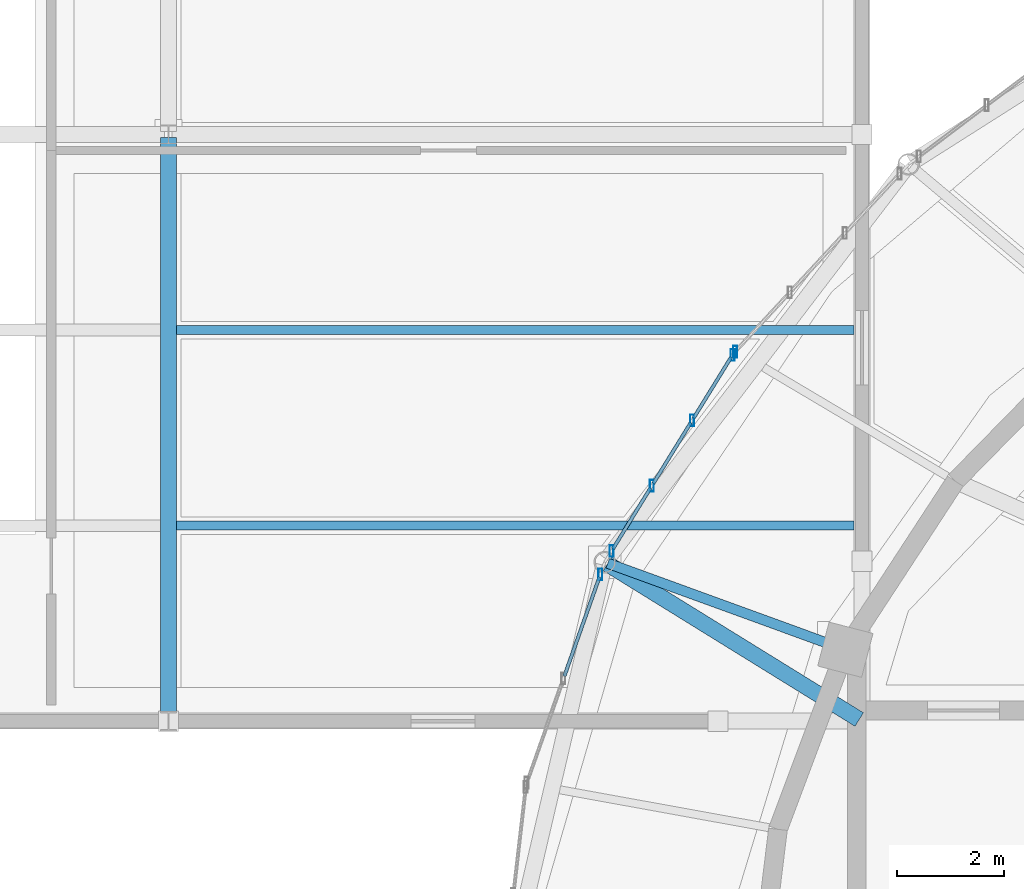
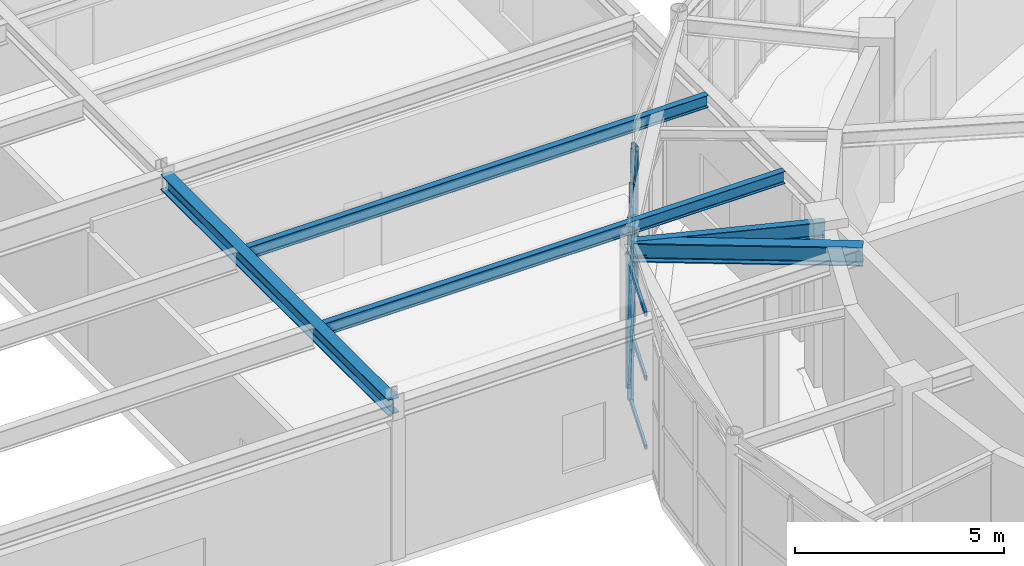
# One storey, part 29 of 100: 18 members, 5 beams, 3 elements without a shape of their own.
"""IFC4 building model written with IfcOpenShell, lengths in metres."""

from ifc_helpers import new_model, si_unit, direction, frame, origin, origin_2d, place, context, subcontext, project, spatial, hollow_rectangle, i_section, extrude, material, material_profile, profile_set, type_object, element, aggregate, save


model = new_model("IFC4")

# Units and contexts
model_context = context("Model", 3, precision=1e-05, world=origin(), true_north=direction((0.0, 1.0)))
body_context = subcontext(model_context, "Body", "Model", "MODEL_VIEW")
ifc_project = project(units=[si_unit("LENGTHUNIT", "METRE"), si_unit("AREAUNIT", "SQUARE_METRE"), si_unit("VOLUMEUNIT", "CUBIC_METRE"), si_unit("PLANEANGLEUNIT", "RADIAN"), si_unit("MASSUNIT", "GRAM", prefix="KILO")], contexts=[model_context])

# Site, building, storey
site_placement = place(None, origin())
site = spatial("IfcSite", under=ifc_project, at=site_placement, CompositionType="ELEMENT")
building_placement = place(site_placement, origin())
building = spatial("IfcBuilding", under=site, at=building_placement, Name="Tarnveldt Headland Concert Hall", CompositionType="ELEMENT")
storey_placement = place(building_placement, frame((0.0, 0.0, 4.800048828125)))
storey = spatial("IfcBuildingStorey", under=building, at=storey_placement, Name="L01", CompositionType="ELEMENT", Elevation=4.800048828125)

# Curtain wall, member
ifc_material_1 = material(Name="Marine-anodised aluminium EN AW-6063-T6", Category="aluminium")
curtain_wall_type = type_object("IfcCurtainWallType", Name="CW-F2", PredefinedType="NOTDEFINED", material=ifc_material_1)
curtain_wall_1_placement = place(storey_placement, origin())
curtain_wall_1 = element("IfcCurtainWall", 1, at=curtain_wall_1_placement, inside=storey, type_object=curtain_wall_type, Name="Curtain wall CW-L01-041", PredefinedType="NOTDEFINED")
ifc_material_profile_1 = material_profile(ifc_material_1, hollow_rectangle(XDim=0.074951171875, YDim=0.219970703125, WallThickness=0.0048828125, at=origin_2d()), Name="ALU MULLION 75x220x5", Category="aluminium")
ifc_profile_set_1 = profile_set([ifc_material_profile_1], Name="Marine-anodised aluminium EN AW-6063-T6")
member_type_1 = type_object("IfcMemberType", Name="ML-200", PredefinedType="MULLION", material=ifc_profile_set_1)
member_1_placement = place(storey_placement, frame((55.12158203125, 66.92919921875, 0.0), z_axis=(0.0, 0.0, 1.0), x_axis=(1.0, 0.0, 0.0)))
member_1 = element("IfcMember", 2, at=member_1_placement, type_object=member_type_1, Name="Mullion CW-L01-041-4", PredefinedType="MULLION", context=body_context, shape_type="SweptSolid", body=[
    extrude(hollow_rectangle(XDim=0.074951171875, YDim=0.219970703125, WallThickness=0.0048828125, at=origin_2d()), origin(), (0.0, 0.0, 1.0), 4.077880859375),
])
aggregate(curtain_wall_1, [member_1])

# Curtain wall, members
curtain_wall_2_placement = place(storey_placement, origin())
curtain_wall_2 = element("IfcCurtainWall", 3, at=curtain_wall_2_placement, inside=storey, type_object=curtain_wall_type, Name="Curtain wall CW-L01-042", PredefinedType="NOTDEFINED")
member_2_placement = place(storey_placement, frame((55.073486328125, 66.865966796875, 0.0), z_axis=(0.0, 0.0, 1.0), x_axis=(1.0, 0.0, 0.0)))
member_2 = element("IfcMember", 4, at=member_2_placement, type_object=member_type_1, Name="Mullion CW-L01-042-1", PredefinedType="MULLION", context=body_context, shape_type="SweptSolid", body=[
    extrude(hollow_rectangle(XDim=0.074951171875, YDim=0.219970703125, WallThickness=0.0048828125, at=origin_2d()), origin(), (0.0, 0.0, 1.0), 3.97802734375),
])
member_3_placement = place(storey_placement, frame((54.3173828125, 65.640380859375, 0.0), z_axis=(0.0, 0.0, 1.0), x_axis=(1.0, 0.0, 0.0)))
member_3 = element("IfcMember", 5, at=member_3_placement, type_object=member_type_1, Name="Mullion CW-L01-042-2", PredefinedType="MULLION", context=body_context, shape_type="SweptSolid", body=[
    extrude(hollow_rectangle(XDim=0.074951171875, YDim=0.219970703125, WallThickness=0.0048828125, at=origin_2d()), origin(), (0.0, 0.0, 1.0), 3.97802734375),
])
member_4_placement = place(storey_placement, frame((53.561767578125, 64.414794921875, 0.0), z_axis=(0.0, 0.0, 1.0), x_axis=(1.0, 0.0, 0.0)))
member_4 = element("IfcMember", 6, at=member_4_placement, type_object=member_type_1, Name="Mullion CW-L01-042-3", PredefinedType="MULLION", context=body_context, shape_type="SweptSolid", body=[
    extrude(hollow_rectangle(XDim=0.074951171875, YDim=0.219970703125, WallThickness=0.0048828125, at=origin_2d()), origin(), (0.0, 0.0, 1.0), 3.97802734375),
])
member_5_placement = place(storey_placement, frame((52.805908203125, 63.189208984375, 0.0), z_axis=(0.0, 0.0, 1.0), x_axis=(1.0, 0.0, 0.0)))
member_5 = element("IfcMember", 7, at=member_5_placement, type_object=member_type_1, Name="Mullion CW-L01-042-4", PredefinedType="MULLION", context=body_context, shape_type="SweptSolid", body=[
    extrude(hollow_rectangle(XDim=0.074951171875, YDim=0.219970703125, WallThickness=0.0048828125, at=origin_2d()), origin(), (0.0, 0.0, 1.0), 3.97802734375),
])

# Curtain wall, member
curtain_wall_3_placement = place(storey_placement, origin())
curtain_wall_3 = element("IfcCurtainWall", 8, at=curtain_wall_3_placement, inside=storey, type_object=curtain_wall_type, Name="Curtain wall CW-L01-043", PredefinedType="NOTDEFINED")
member_6_placement = place(storey_placement, frame((52.596923828125, 62.7529296875, 0.0), z_axis=(0.0, 0.0, 1.0), x_axis=(1.0, 0.0, 0.0)))
member_6 = element("IfcMember", 9, at=member_6_placement, type_object=member_type_1, Name="Mullion CW-L01-043-1", PredefinedType="MULLION", context=body_context, shape_type="SweptSolid", body=[
    extrude(hollow_rectangle(XDim=0.074951171875, YDim=0.219970703125, WallThickness=0.0048828125, at=origin_2d()), origin(), (0.0, 0.0, 1.0), 3.97802734375),
])

# Beams
ifc_material_2 = material(Name="Steel S355", Category="steel")
ifc_material_profile_2 = material_profile(ifc_material_2, i_section(OverallWidth=0.300048828125, OverallDepth=0.449951171875, WebThickness=0.013916015625, FlangeThickness=0.02587890625, FilletRadius=0.027099609375, at=origin_2d()), Name="HEB450", Category="steel")
ifc_profile_set_2 = profile_set([ifc_material_profile_2], Name="Steel S355")
beam_type_1 = type_object("IfcBeamType", Name="SB-HEB450", PredefinedType="BEAM", material=ifc_profile_set_2)
beam_1_placement = place(storey_placement, frame((44.5, 60.06005859375, 4.31494140625), z_axis=(0.0, 1.0, 0.0), x_axis=(-1.0, 0.0, 0.0)))
element("IfcBeam", 10, at=beam_1_placement, inside=storey, type_object=beam_type_1, Name="Framing beam L01-974", PredefinedType="BEAM", context=body_context, shape_type="SweptSolid", body=[
    extrude(i_section(OverallWidth=0.300048828125, OverallDepth=0.449951171875, WebThickness=0.013916015625, FlangeThickness=0.02587890625, FilletRadius=0.027099609375, at=origin_2d()), origin(), (0.0, 0.0, 1.0), 10.8798828125),
])
ifc_material_profile_3 = material_profile(ifc_material_2, i_section(OverallWidth=0.300048828125, OverallDepth=0.550048828125, WebThickness=0.014892578125, FlangeThickness=0.029052734375, FilletRadius=0.027099609375, at=origin_2d()), Name="HEB550", Category="steel")
ifc_profile_set_3 = profile_set([ifc_material_profile_3], Name="Steel S355")
beam_type_2 = type_object("IfcBeamType", Name="SB-HEB550", PredefinedType="BEAM", material=ifc_profile_set_3)
beam_2_placement = place(storey_placement, frame((57.448974609375, 60.031494140625, 4.264892578125), z_axis=(-0.850502257935, 0.525971395845, 0.0), x_axis=(-0.525971395845, -0.850502257935, 0.0)))
element("IfcBeam", 11, at=beam_2_placement, inside=storey, type_object=beam_type_2, Name="Framing beam L01-994", PredefinedType="BEAM", context=body_context, shape_type="SweptSolid", body=[
    extrude(i_section(OverallWidth=0.300048828125, OverallDepth=0.550048828125, WebThickness=0.014892578125, FlangeThickness=0.029052734375, FilletRadius=0.027099609375, at=origin_2d()), origin(), (0.0, 0.0, 1.0), 5.549560546875),
])
ifc_material_profile_4 = material_profile(ifc_material_2, i_section(OverallWidth=0.169921875, OverallDepth=0.360107421875, WebThickness=0.008056640625, FlangeThickness=0.0126953125, FilletRadius=0.01806640625, at=origin_2d()), Name="IPE360", Category="steel")
ifc_profile_set_4 = profile_set([ifc_material_profile_4], Name="Steel S355")
beam_type_3 = type_object("IfcBeamType", Name="SB-IPE360", PredefinedType="JOIST", material=ifc_profile_set_4)
for number, where, z_axis, x_axis, name in (
    (12, (44.64990234375, 63.6669921875, 4.35986328125), (1.0, 0.0, 0.0), (0.0, 1.0, 0.0), "Framing beam L01-975"),
    (13, (44.64990234375, 67.3330078125, 4.35986328125), (1.0, 0.0, 0.0), (0.0, 1.0, 0.0), "Framing beam L01-976"),
):
    element("IfcBeam", number, at=place(storey_placement, frame(where, z_axis=z_axis, x_axis=x_axis)), inside=storey, type_object=beam_type_3, Name=name, PredefinedType="JOIST", context=body_context, shape_type="SweptSolid", body=[
        extrude(i_section(OverallWidth=0.169921875, OverallDepth=0.360107421875, WebThickness=0.008056640625, FlangeThickness=0.0126953125, FilletRadius=0.01806640625, at=origin_2d()), origin(), (0.0, 0.0, 1.0), 12.7001953125),
    ])
ifc_material_profile_5 = material_profile(ifc_material_2, i_section(OverallWidth=0.18994140625, OverallDepth=0.449951171875, WebThickness=0.009521484375, FlangeThickness=0.0146484375, FilletRadius=0.02099609375, at=origin_2d()), Name="IPE450", Category="steel")
ifc_profile_set_5 = profile_set([ifc_material_profile_5], Name="Steel S355")
beam_type_4 = type_object("IfcBeamType", Name="SB-IPE450", PredefinedType="BEAM", material=ifc_profile_set_5)
beam_3_placement = place(storey_placement, frame((57.15087890625, 61.35400390625, 4.31494140625), z_axis=(-0.939673545823, 0.34207254681, 0.0), x_axis=(-0.34207254681, -0.939673545823, 0.0)))
element("IfcBeam", 14, at=beam_3_placement, inside=storey, type_object=beam_type_4, Name="Framing beam L01-703", PredefinedType="BEAM", context=body_context, shape_type="SweptSolid", body=[
    extrude(i_section(OverallWidth=0.18994140625, OverallDepth=0.449951171875, WebThickness=0.009521484375, FlangeThickness=0.0146484375, FilletRadius=0.02099609375, at=origin_2d()), origin(), (0.0, 0.0, 1.0), 4.69970703125),
])

# Member
ifc_material_profile_6 = material_profile(ifc_material_1, hollow_rectangle(XDim=0.06494140625, YDim=0.139892578125, WallThickness=0.00390625, at=origin_2d()), Name="ALU TRANSOM 65x140x4", Category="aluminium")
ifc_profile_set_6 = profile_set([ifc_material_profile_6], Name="Marine-anodised aluminium EN AW-6063-T6")
member_type_2 = type_object("IfcMemberType", Name="TR-140", PredefinedType="MEMBER", material=ifc_profile_set_6)
member_7_placement = place(storey_placement, frame((55.04736328125, 66.823974609375, 0.050048828125), z_axis=(-0.524899695135, -0.85116409114, 0.0), x_axis=(0.85116409114, -0.524899695135, 0.0)))
member_7 = element("IfcMember", 15, at=member_7_placement, type_object=member_type_2, Name="Transom CW-L01-042-1-1", PredefinedType="MEMBER", context=body_context, shape_type="SweptSolid", body=[
    extrude(hollow_rectangle(XDim=0.06494140625, YDim=0.139892578125, WallThickness=0.00390625, at=origin_2d()), origin(), (0.0, 0.0, 1.0), 1.3408203125),
])

member_8_placement = place(storey_placement, frame((55.04736328125, 66.823974609375, 2.068603515625), z_axis=(-0.524899695135, -0.85116409114, 0.0), x_axis=(0.85116409114, -0.524899695135, 0.0)))
member_8 = element("IfcMember", 16, at=member_8_placement, type_object=member_type_2, Name="Transom CW-L01-042-1-2", PredefinedType="MEMBER", context=body_context, shape_type="SweptSolid", body=[
    extrude(hollow_rectangle(XDim=0.06494140625, YDim=0.139892578125, WallThickness=0.00390625, at=origin_2d()), origin(), (0.0, 0.0, 1.0), 1.3408203125),
])

member_9_placement = place(storey_placement, frame((55.04736328125, 66.823974609375, 3.927978515625), z_axis=(-0.524899695135, -0.85116409114, 0.0), x_axis=(0.85116409114, -0.524899695135, 0.0)))
member_9 = element("IfcMember", 17, at=member_9_placement, type_object=member_type_2, Name="Transom CW-L01-042-1-3", PredefinedType="MEMBER", context=body_context, shape_type="SweptSolid", body=[
    extrude(hollow_rectangle(XDim=0.06494140625, YDim=0.139892578125, WallThickness=0.00390625, at=origin_2d()), origin(), (0.0, 0.0, 1.0), 1.3408203125),
])

member_10_placement = place(storey_placement, frame((54.29150390625, 65.59814453125, 0.050048828125), z_axis=(-0.524899695135, -0.85116409114, 0.0), x_axis=(0.85116409114, -0.524899695135, 0.0)))
member_10 = element("IfcMember", 18, at=member_10_placement, type_object=member_type_2, Name="Transom CW-L01-042-2-1", PredefinedType="MEMBER", context=body_context, shape_type="SweptSolid", body=[
    extrude(hollow_rectangle(XDim=0.06494140625, YDim=0.139892578125, WallThickness=0.00390625, at=origin_2d()), origin(), (0.0, 0.0, 1.0), 1.3408203125),
])

member_11_placement = place(storey_placement, frame((54.29150390625, 65.59814453125, 2.068603515625), z_axis=(-0.524899695135, -0.85116409114, 0.0), x_axis=(0.85116409114, -0.524899695135, 0.0)))
member_11 = element("IfcMember", 19, at=member_11_placement, type_object=member_type_2, Name="Transom CW-L01-042-2-2", PredefinedType="MEMBER", context=body_context, shape_type="SweptSolid", body=[
    extrude(hollow_rectangle(XDim=0.06494140625, YDim=0.139892578125, WallThickness=0.00390625, at=origin_2d()), origin(), (0.0, 0.0, 1.0), 1.3408203125),
])

member_12_placement = place(storey_placement, frame((54.29150390625, 65.59814453125, 3.927978515625), z_axis=(-0.524899695135, -0.85116409114, 0.0), x_axis=(0.85116409114, -0.524899695135, 0.0)))
member_12 = element("IfcMember", 20, at=member_12_placement, type_object=member_type_2, Name="Transom CW-L01-042-2-3", PredefinedType="MEMBER", context=body_context, shape_type="SweptSolid", body=[
    extrude(hollow_rectangle(XDim=0.06494140625, YDim=0.139892578125, WallThickness=0.00390625, at=origin_2d()), origin(), (0.0, 0.0, 1.0), 1.3408203125),
])

member_13_placement = place(storey_placement, frame((53.53564453125, 64.37255859375, 0.050048828125), z_axis=(-0.524899695135, -0.85116409114, 0.0), x_axis=(0.85116409114, -0.524899695135, 0.0)))
member_13 = element("IfcMember", 21, at=member_13_placement, type_object=member_type_2, Name="Transom CW-L01-042-3-1", PredefinedType="MEMBER", context=body_context, shape_type="SweptSolid", body=[
    extrude(hollow_rectangle(XDim=0.06494140625, YDim=0.139892578125, WallThickness=0.00390625, at=origin_2d()), origin(), (0.0, 0.0, 1.0), 1.3408203125),
])

member_14_placement = place(storey_placement, frame((53.53564453125, 64.37255859375, 2.068603515625), z_axis=(-0.524899695135, -0.85116409114, 0.0), x_axis=(0.85116409114, -0.524899695135, 0.0)))
member_14 = element("IfcMember", 22, at=member_14_placement, type_object=member_type_2, Name="Transom CW-L01-042-3-2", PredefinedType="MEMBER", context=body_context, shape_type="SweptSolid", body=[
    extrude(hollow_rectangle(XDim=0.06494140625, YDim=0.139892578125, WallThickness=0.00390625, at=origin_2d()), origin(), (0.0, 0.0, 1.0), 1.3408203125),
])

member_15_placement = place(storey_placement, frame((53.53564453125, 64.37255859375, 3.927978515625), z_axis=(-0.524899695135, -0.85116409114, 0.0), x_axis=(0.85116409114, -0.524899695135, 0.0)))
member_15 = element("IfcMember", 23, at=member_15_placement, type_object=member_type_2, Name="Transom CW-L01-042-3-3", PredefinedType="MEMBER", context=body_context, shape_type="SweptSolid", body=[
    extrude(hollow_rectangle(XDim=0.06494140625, YDim=0.139892578125, WallThickness=0.00390625, at=origin_2d()), origin(), (0.0, 0.0, 1.0), 1.3408203125),
])

aggregate(curtain_wall_2, [member_2, member_3, member_4, member_5, member_7, member_8, member_9, member_10, member_11, member_12, member_13, member_14, member_15])

member_16_placement = place(storey_placement, frame((52.580322265625, 62.706298828125, 0.050048828125), z_axis=(-0.333977607749, -0.942581008467, 0.0), x_axis=(0.942581008467, -0.333977607749, 0.0)))
member_16 = element("IfcMember", 24, at=member_16_placement, type_object=member_type_2, Name="Transom CW-L01-043-1-1", PredefinedType="MEMBER", context=body_context, shape_type="SweptSolid", body=[
    extrude(hollow_rectangle(XDim=0.06494140625, YDim=0.139892578125, WallThickness=0.00390625, at=origin_2d()), origin(), (0.0, 0.0, 1.0), 1.974365234375),
])

member_17_placement = place(storey_placement, frame((52.580322265625, 62.706298828125, 2.068603515625), z_axis=(-0.333977607749, -0.942581008467, 0.0), x_axis=(0.942581008467, -0.333977607749, 0.0)))
member_17 = element("IfcMember", 25, at=member_17_placement, type_object=member_type_2, Name="Transom CW-L01-043-1-2", PredefinedType="MEMBER", context=body_context, shape_type="SweptSolid", body=[
    extrude(hollow_rectangle(XDim=0.06494140625, YDim=0.139892578125, WallThickness=0.00390625, at=origin_2d()), origin(), (0.0, 0.0, 1.0), 1.974365234375),
])

member_18_placement = place(storey_placement, frame((52.580322265625, 62.706298828125, 3.927978515625), z_axis=(-0.333977607749, -0.942581008467, 0.0), x_axis=(0.942581008467, -0.333977607749, 0.0)))
member_18 = element("IfcMember", 26, at=member_18_placement, type_object=member_type_2, Name="Transom CW-L01-043-1-3", PredefinedType="MEMBER", context=body_context, shape_type="SweptSolid", body=[
    extrude(hollow_rectangle(XDim=0.06494140625, YDim=0.139892578125, WallThickness=0.00390625, at=origin_2d()), origin(), (0.0, 0.0, 1.0), 1.974365234375),
])

aggregate(curtain_wall_3, [member_6, member_16, member_17, member_18])

save(model, "model.ifc")
